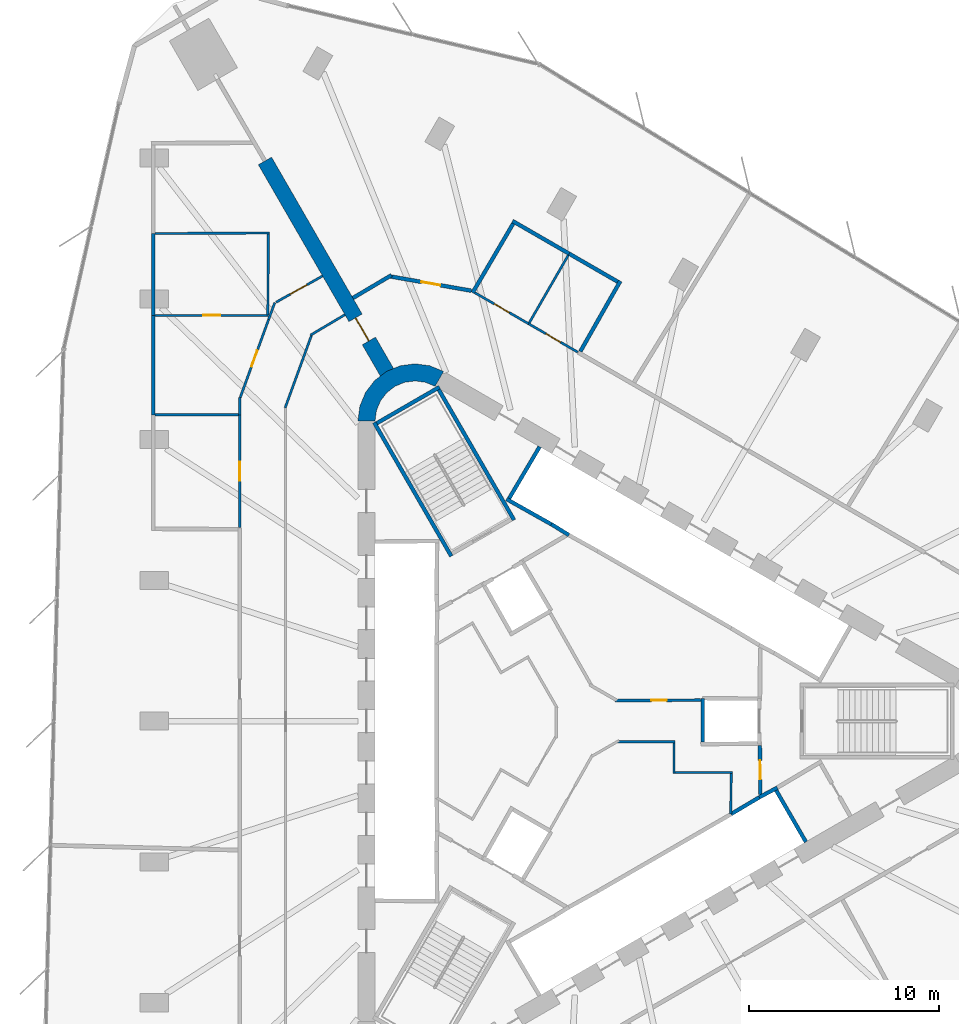
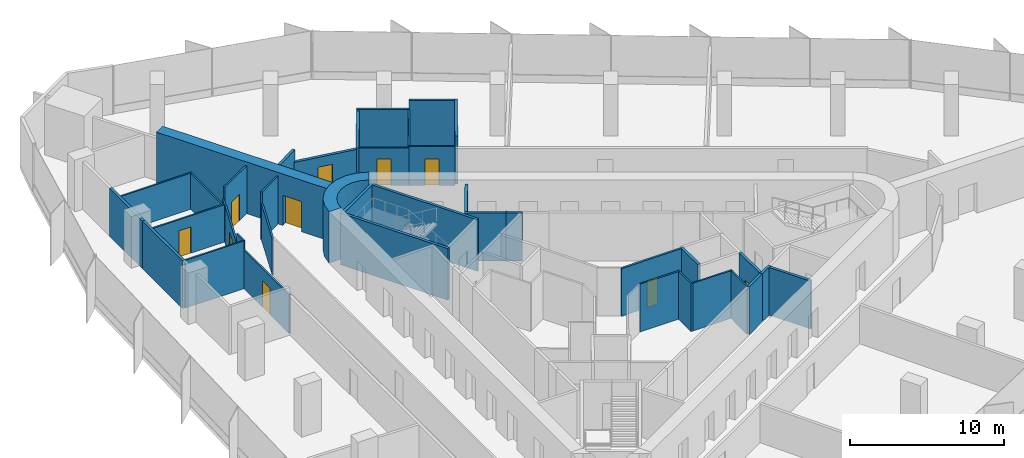
# One storey, part 11 of 14: 40 walls, 10 doors, 10 openings.
"""IFC4 building model written with IfcOpenShell, lengths in metres."""

from ifc_helpers import new_model, si_unit, direction, frame, frame_2d, origin, place, context, subcontext, project, spatial, polyline, rectangle, outline, extrude, material, layer, layer_set, type_object, element, fill, save


model = new_model("IFC4")

# Units and contexts
model_context = context("Model", 3, precision=1e-05, world=origin(), true_north=direction((0.0, 1.0)))
body_context = subcontext(model_context, "Body", "Model", "MODEL_VIEW")
ifc_project = project(units=[si_unit("LENGTHUNIT", "METRE"), si_unit("AREAUNIT", "SQUARE_METRE"), si_unit("VOLUMEUNIT", "CUBIC_METRE"), si_unit("PLANEANGLEUNIT", "RADIAN"), si_unit("MASSUNIT", "GRAM", prefix="KILO")], contexts=[model_context])

# Site, building, storey
site_placement = place(None, origin())
site = spatial("IfcSite", under=ifc_project, at=site_placement, CompositionType="ELEMENT")
building_placement = place(site_placement, origin())
building = spatial("IfcBuilding", under=site, at=building_placement, Name="Tanit Gate Tower", CompositionType="ELEMENT")
storey_placement = place(building_placement, frame((0.0, 0.0, 119.300048828125)))
storey = spatial("IfcBuildingStorey", under=building, at=storey_placement, Name="L25", CompositionType="ELEMENT", Elevation=119.300048828125)

# Wall, opening, door
ifc_material_1 = material(Name="Concrete C60/75", Category="concrete")
ifc_layer_1 = layer(ifc_material_1, 0.800048828125)
ifc_layer_set_1 = layer_set([ifc_layer_1], Name="BUTTRESS FIN 800 C60/75")
wall_type_1 = type_object("IfcWallType", Name="BUTTRESS FIN 800 C60/75", PredefinedType="SHEAR", material=ifc_layer_set_1)
wall_1_placement = place(storey_placement, frame((-10.574951171875, 18.31640625, 0.0), z_axis=(0.0, 0.0, 1.0), x_axis=(-0.500008359956, 0.866020577108, 0.0)))
wall_1 = element("IfcWall", 1, at=wall_1_placement, inside=storey, type_object=wall_type_1, Name="BUTTRESS FIN", PredefinedType="SHEAR", context=body_context, shape_type="SweptSolid", body=[
    extrude(rectangle(XDim=12.812255859375, YDim=0.800048828125, at=frame_2d((6.40625, 0.0))), origin(), (0.0, 0.0, 1.0), 4.099853515625),
])
opening_1_placement = place(wall_1_placement, frame((1.89990234375, 0.0, 0.0)))
opening_1 = element("IfcOpeningElement", 2, at=opening_1_placement, cuts=wall_1, Name="Opening P14-S06-F-NW-1", PredefinedType="OPENING", context=body_context, shape_type="SweptSolid", body=[
    extrude(rectangle(XDim=1.39990234375, YDim=2.39990234375, at=frame_2d((0.699951171875, 1.199951171875))), frame((0.0, 0.41015625, 0.0), z_axis=(0.0, -1.0, 0.0), x_axis=(1.0, 0.0, 0.0)), (0.0, 0.0, 1.0), 0.820068359375),
])
ifc_material_2 = material(Name="Timber door leaf", Category="wood")
door_type_1 = type_object("IfcDoorType", Name="INT-DOOR-FIN-PAIR-1400", OperationType="NOTDEFINED", PredefinedType="NOTDEFINED", material=ifc_material_2)
door_1_placement = place(opening_1_placement, origin())
door_1 = element("IfcDoor", 3, at=door_1_placement, inside=storey, type_object=door_type_1, Name="Door P14-S06-F-NW-1", OperationType="DOUBLE_DOOR_SINGLE_SWING", OverallHeight=2.39990234375, OverallWidth=1.39990234375, PredefinedType="NOTDEFINED", context=body_context, shape_type="SweptSolid", body=[
    extrude(rectangle(XDim=1.39990234375, YDim=2.39990234375, at=frame_2d((0.699951171875, 1.199951171875))), frame((0.0, 0.02490234375, 0.0), z_axis=(0.0, -1.0, 0.0), x_axis=(1.0, 0.0, 0.0)), (0.0, 0.0, 1.0), 0.050048828125),
])
fill(opening_1, door_1)

# Wall
ifc_material_3 = material(Name="Concrete C60/75", Category="concrete")
ifc_layer_2 = layer(ifc_material_3, 0.89990234375)
ifc_layer_set_2 = layer_set([ifc_layer_2], Name="CORE WALL 900 C60/75")
wall_type_2 = type_object("IfcWallType", Name="CORE WALL 900 C60/75", PredefinedType="SHEAR", material=ifc_layer_set_2)
wall_2_placement = place(storey_placement, origin())
element("IfcWall", 4, at=wall_2_placement, inside=storey, type_object=wall_type_2, Name="CORE WALL CORNER", PredefinedType="SHEAR", context=body_context, shape_type="SweptSolid", body=[
    extrude(outline(polyline([(-7.60009765625, 18.359619140625), (-8.323486328125, 18.659423828125), (-9.10009765625, 18.76171875), (-9.87646484375, 18.659423828125), (-10.60009765625, 18.359619140625), (-11.22119140625, 17.883056640625), (-11.697998046875, 17.26171875), (-11.997802734375, 16.5380859375), (-12.10009765625, 15.76171875), (-11.199951171875, 15.76171875), (-11.12841796875, 16.30517578125), (-10.918701171875, 16.811767578125), (-10.5849609375, 17.24658203125), (-10.14990234375, 17.580322265625), (-9.6435546875, 17.7900390625), (-9.10009765625, 17.86181640625), (-8.556396484375, 17.7900390625), (-8.050048828125, 17.580322265625), (-7.60009765625, 18.359619140625)])), origin(), (0.0, 0.0, 1.0), 4.099853515625),
])

# Wall, opening, door
ifc_material_4 = material(Name="Fire-rated gypsum board partition")
ifc_layer_3 = layer(ifc_material_4, 0.199951171875)
ifc_layer_set_3 = layer_set([ifc_layer_3], Name="INT-WALL-COMPARTMENT")
wall_type_3 = type_object("IfcWallType", Name="INT-WALL-COMPARTMENT", PredefinedType="PARTITIONING", material=ifc_layer_set_3)
wall_3_placement = place(storey_placement, frame((9.02880859375, -3.850830078125, 0.0), z_axis=(0.0, 0.0, 1.0), x_axis=(-0.010783593937, 0.99994185536, 0.0)))
wall_3 = element("IfcWall", 5, at=wall_3_placement, inside=storey, type_object=wall_type_3, Name="Wall Compartment W060", PredefinedType="PARTITIONING", context=body_context, shape_type="SweptSolid", body=[
    extrude(rectangle(XDim=2.5810546875, YDim=0.199951171875, at=frame_2d((1.29052734375, 0.0))), origin(), (0.0, 0.0, 1.0), 3.800048828125),
])
opening_2_placement = place(wall_3_placement, frame((0.79052734375, 0.0, 0.0)))
opening_2 = element("IfcOpeningElement", 6, at=opening_2_placement, cuts=wall_3, Name="Opening F10-S06-02", PredefinedType="OPENING", context=body_context, shape_type="SweptSolid", body=[
    extrude(rectangle(XDim=1.0, YDim=2.10009765625, at=frame_2d((0.5, 1.050048828125))), frame((0.0, 0.10986328125, 0.0), z_axis=(0.0, -1.0, 0.0), x_axis=(1.0, 0.0, 0.0)), (0.0, 0.0, 1.0), 0.219970703125),
])
ifc_material_5 = material(Name="Fire-rated steel door leaf", Category="steel")
door_type_2 = type_object("IfcDoorType", Name="INT-DOOR-FIRE-1000", OperationType="NOTDEFINED", PredefinedType="USERDEFINED", material=ifc_material_5)
door_2_placement = place(opening_2_placement, origin())
door_2 = element("IfcDoor", 7, at=door_2_placement, inside=storey, type_object=door_type_2, Name="Door F10-S06-02", ObjectType="FIRE DOOR", OperationType="SINGLE_SWING_RIGHT", OverallHeight=2.10009765625, OverallWidth=1.0, PredefinedType="USERDEFINED", context=body_context, shape_type="SweptSolid", body=[
    extrude(rectangle(XDim=1.0, YDim=2.10009765625, at=frame_2d((0.5, 1.050048828125))), frame((0.0, 0.02490234375, 0.0), z_axis=(0.0, -1.0, 0.0), x_axis=(1.0, 0.0, 0.0)), (0.0, 0.0, 1.0), 0.050048828125),
])
fill(opening_2, door_2)

# Wall
wall_4_placement = place(storey_placement, frame((-10.3388671875, 23.4150390625, 0.0), z_axis=(0.0, 0.0, 1.0), x_axis=(-0.860316803263, -0.509759745393, 0.0)))
element("IfcWall", 8, at=wall_4_placement, inside=storey, type_object=wall_type_3, Name="Wall Compartment W097", PredefinedType="PARTITIONING", context=body_context, shape_type="SweptSolid", body=[
    extrude(rectangle(XDim=2.35400390625, YDim=0.199951171875, at=frame_2d((1.177001953125, 0.0))), origin(), (0.0, 0.0, 1.0), 3.800048828125),
])

# Wall, opening, door
wall_5_placement = place(storey_placement, frame((-6.140625, 22.597900390625, 0.0), z_axis=(0.0, 0.0, 1.0), x_axis=(-0.984804622474, 0.173665930897, 0.0)))
wall_5 = element("IfcWall", 9, at=wall_5_placement, inside=storey, type_object=wall_type_3, Name="Wall Compartment W098", PredefinedType="PARTITIONING", context=body_context, shape_type="SweptSolid", body=[
    extrude(rectangle(XDim=4.31591796875, YDim=0.199951171875, at=frame_2d((2.157958984375, 0.0))), origin(), (0.0, 0.0, 1.0), 2.8798828125),
])
opening_3_placement = place(wall_5_placement, frame((1.657958984375, 0.0, 0.0)))
opening_3 = element("IfcOpeningElement", 10, at=opening_3_placement, cuts=wall_5, Name="Opening F10-S06-23", PredefinedType="OPENING", context=body_context, shape_type="SweptSolid", body=[
    extrude(rectangle(XDim=1.0, YDim=2.10009765625, at=frame_2d((0.5, 1.050048828125))), frame((0.0, 0.10986328125, 0.0), z_axis=(0.0, -1.0, 0.0), x_axis=(1.0, 0.0, 0.0)), (0.0, 0.0, 1.0), 0.219970703125),
])
door_3_placement = place(opening_3_placement, origin())
door_3 = element("IfcDoor", 11, at=door_3_placement, inside=storey, type_object=door_type_2, Name="Door F10-S06-23", ObjectType="FIRE DOOR", OperationType="SINGLE_SWING_RIGHT", OverallHeight=2.10009765625, OverallWidth=1.0, PredefinedType="USERDEFINED", context=body_context, shape_type="SweptSolid", body=[
    extrude(rectangle(XDim=1.0, YDim=2.10009765625, at=frame_2d((0.5, 1.050048828125))), frame((0.0, 0.02490234375, 0.0), z_axis=(0.0, -1.0, 0.0), x_axis=(1.0, 0.0, 0.0)), (0.0, 0.0, 1.0), 0.050048828125),
])
fill(opening_3, door_3)

# Walls
wall_6_placement = place(storey_placement, frame((-22.85009765625, 21.302490234375, 0.0), z_axis=(0.0, 0.0, 1.0), x_axis=(0.0, 1.0, 0.0)))
element("IfcWall", 12, at=wall_6_placement, inside=storey, type_object=wall_type_3, Name="Wall Compartment W121", PredefinedType="PARTITIONING", context=body_context, shape_type="SweptSolid", body=[
    extrude(rectangle(XDim=4.29736328125, YDim=0.199951171875, at=frame_2d((2.148681640625, 0.0))), origin(), (0.0, 0.0, 1.0), 3.800048828125),
])
wall_7_placement = place(storey_placement, frame((-22.85009765625, 16.083740234375, 0.0), z_axis=(0.0, 0.0, 1.0), x_axis=(0.0, 1.0, 0.0)))
element("IfcWall", 13, at=wall_7_placement, inside=storey, type_object=wall_type_3, Name="Wall Compartment W120", PredefinedType="PARTITIONING", context=body_context, shape_type="SweptSolid", body=[
    extrude(rectangle(XDim=5.21875, YDim=0.199951171875, at=frame_2d((2.609375, 0.0))), origin(), (0.0, 0.0, 1.0), 3.800048828125),
])
wall_8_placement = place(storey_placement, frame((-0.42138671875, 19.411376953125, 0.0), z_axis=(0.0, 0.0, 1.0), x_axis=(0.493854448618, 0.86954458401, 0.0)))
element("IfcWall", 14, at=wall_8_placement, inside=storey, type_object=wall_type_3, Name="Wall Compartment W126", PredefinedType="PARTITIONING", context=body_context, shape_type="SweptSolid", body=[
    extrude(rectangle(XDim=4.25, YDim=0.199951171875, at=frame_2d((2.125, 0.0))), origin(), (0.0, 0.0, 1.0), 3.800048828125),
])
wall_9_placement = place(storey_placement, frame((-3.983642578125, 26.260009765625, 0.0), z_axis=(0.0, 0.0, 1.0), x_axis=(0.866016279763, -0.500015802937, 0.0)))
element("IfcWall", 15, at=wall_9_placement, inside=storey, type_object=wall_type_3, Name="Wall Compartment W128", PredefinedType="PARTITIONING", context=body_context, shape_type="SweptSolid", body=[
    extrude(rectangle(XDim=3.43408203125, YDim=0.199951171875, at=frame_2d((1.717041015625, 0.0))), origin(), (0.0, 0.0, 1.0), 3.079833984375),
])
wall_10_placement = place(storey_placement, frame((-1.009765625, 24.54296875, 0.0), z_axis=(0.0, 0.0, 1.0), x_axis=(0.866036539348, -0.499980712142, 0.0)))
element("IfcWall", 16, at=wall_10_placement, inside=storey, type_object=wall_type_3, Name="Wall Compartment W127", PredefinedType="PARTITIONING", context=body_context, shape_type="SweptSolid", body=[
    extrude(rectangle(XDim=2.94580078125, YDim=0.199951171875, at=frame_2d((1.472900390625, 0.0))), origin(), (0.0, 0.0, 1.0), 3.800048828125),
])
wall_11_placement = place(storey_placement, frame((-6.078369140625, 22.49267578125, 0.0), z_axis=(0.0, 0.0, 1.0), x_axis=(0.506079610092, 0.862486769898, 0.0)))
element("IfcWall", 17, at=wall_11_placement, inside=storey, type_object=wall_type_3, Name="Wall Compartment W129", PredefinedType="PARTITIONING", context=body_context, shape_type="SweptSolid", body=[
    extrude(rectangle(XDim=4.2099609375, YDim=0.199951171875, at=frame_2d((2.10498046875, 0.0))), origin(), (0.0, 0.0, 1.0), 2.97998046875),
])
ifc_material_6 = material(Name="Gypsum board partition")
ifc_layer_4 = layer(ifc_material_6, 0.1201171875)
ifc_layer_set_4 = layer_set([ifc_layer_4], Name="INT-WALL-PARTITION")
wall_type_4 = type_object("IfcWallType", Name="INT-WALL-PARTITION", PredefinedType="PARTITIONING", material=ifc_layer_set_4)
wall_12_placement = place(storey_placement, frame((4.56005859375, -1.074951171875, 0.0), z_axis=(0.0, 0.0, 1.0), x_axis=(-1.0, 0.0, 0.0)))
element("IfcWall", 18, at=wall_12_placement, inside=storey, type_object=wall_type_4, Name="Wall Partition W070", PredefinedType="PARTITIONING", context=body_context, shape_type="SweptSolid", body=[
    extrude(rectangle(XDim=3.02587890625, YDim=0.1201171875, at=frame_2d((1.512939453125, 0.0))), origin(), (0.0, 0.0, 1.0), 3.800048828125),
])
wall_13_placement = place(storey_placement, frame((4.5, -2.760009765625, 0.0), z_axis=(0.0, 0.0, 1.0), x_axis=(0.0, 1.0, 0.0)))
element("IfcWall", 19, at=wall_13_placement, inside=storey, type_object=wall_type_4, Name="Wall Partition W071", PredefinedType="PARTITIONING", context=body_context, shape_type="SweptSolid", body=[
    extrude(rectangle(XDim=1.625, YDim=0.1201171875, at=frame_2d((0.8125, 0.0))), origin(), (0.0, 0.0, 1.0), 3.800048828125),
])
wall_14_placement = place(storey_placement, frame((7.56005859375, -2.699951171875, 0.0), z_axis=(0.0, 0.0, 1.0), x_axis=(-1.0, 0.0, 0.0)))
element("IfcWall", 20, at=wall_14_placement, inside=storey, type_object=wall_type_4, Name="Wall Partition W072", PredefinedType="PARTITIONING", context=body_context, shape_type="SweptSolid", body=[
    extrude(rectangle(XDim=3.0, YDim=0.1201171875, at=frame_2d((1.5, 0.0))), origin(), (0.0, 0.0, 1.0), 3.800048828125),
])
wall_15_placement = place(storey_placement, frame((7.474609375, -4.864501953125, 0.0), z_axis=(0.0, 0.0, 1.0), x_axis=(0.011716133148, 0.999931363757, 0.0)))
element("IfcWall", 21, at=wall_15_placement, inside=storey, type_object=wall_type_4, Name="Wall Partition W073", PredefinedType="PARTITIONING", context=body_context, shape_type="SweptSolid", body=[
    extrude(rectangle(XDim=2.104736328125, YDim=0.1201171875, at=frame_2d((1.05224609375, 0.0))), origin(), (0.0, 0.0, 1.0), 3.800048828125),
])
wall_16_placement = place(storey_placement, frame((-12.781982421875, 21.339111328125, 0.0), z_axis=(0.0, 0.0, 1.0), x_axis=(-0.859769901207, -0.510681619973, 0.0)))
element("IfcWall", 22, at=wall_16_placement, inside=storey, type_object=wall_type_4, Name="Wall Partition W083", PredefinedType="PARTITIONING", context=body_context, shape_type="SweptSolid", body=[
    extrude(rectangle(XDim=2.092529296875, YDim=0.1201171875, at=frame_2d((1.04638671875, 0.0))), origin(), (0.0, 0.0, 1.0), 3.800048828125),
])
wall_17_placement = place(storey_placement, frame((-14.527587890625, 20.281982421875, 0.0), z_axis=(0.0, 0.0, 1.0), x_axis=(-0.341969257767, -0.939711140054, 0.0)))
element("IfcWall", 23, at=wall_17_placement, inside=storey, type_object=wall_type_4, Name="Wall Partition W084", PredefinedType="PARTITIONING", context=body_context, shape_type="SweptSolid", body=[
    extrude(rectangle(XDim=4.072998046875, YDim=0.1201171875, at=frame_2d((2.03662109375, 0.0))), origin(), (0.0, 0.0, 1.0), 2.8798828125),
])
wall_18_placement = place(storey_placement, frame((-18.300048828125, 16.994140625, 0.0), z_axis=(0.0, 0.0, 1.0), x_axis=(0.0, -1.0, 0.0)))
element("IfcWall", 24, at=wall_18_placement, inside=storey, type_object=wall_type_4, Name="Wall Partition W093", PredefinedType="PARTITIONING", context=body_context, shape_type="SweptSolid", body=[
    extrude(rectangle(XDim=0.910400390625, YDim=0.1201171875, at=frame_2d((0.455078125, 0.0))), origin(), (0.0, 0.0, 1.0), 3.800048828125),
])

# Wall, opening, door
wall_19_placement = place(storey_placement, frame((-18.300048828125, 16.083740234375, 0.0), z_axis=(0.0, 0.0, 1.0), x_axis=(0.0, -1.0, 0.0)))
wall_19 = element("IfcWall", 25, at=wall_19_placement, inside=storey, type_object=wall_type_4, Name="Wall Partition W092", PredefinedType="PARTITIONING", context=body_context, shape_type="SweptSolid", body=[
    extrude(rectangle(XDim=5.913818359375, YDim=0.1201171875, at=frame_2d((2.95703125, 0.0))), origin(), (0.0, 0.0, 1.0), 3.079833984375),
])
opening_4_placement = place(wall_19_placement, frame((2.456787109375, 0.0, 0.0)))
opening_4 = element("IfcOpeningElement", 26, at=opening_4_placement, cuts=wall_19, Name="Opening D10-S06-15", PredefinedType="OPENING", context=body_context, shape_type="SweptSolid", body=[
    extrude(rectangle(XDim=1.0, YDim=2.10009765625, at=frame_2d((0.5, 1.050048828125))), frame((0.0, 0.070068359375, 0.0), z_axis=(0.0, -1.0, 0.0), x_axis=(1.0, 0.0, 0.0)), (0.0, 0.0, 1.0), 0.14013671875),
])
ifc_material_7 = material(Name="Timber door leaf", Category="wood")
door_type_3 = type_object("IfcDoorType", Name="INT-DOOR-SINGLE-1000", OperationType="NOTDEFINED", PredefinedType="NOTDEFINED", material=ifc_material_7)
door_4_placement = place(opening_4_placement, origin())
door_4 = element("IfcDoor", 27, at=door_4_placement, inside=storey, type_object=door_type_3, Name="Door D10-S06-15", OperationType="SINGLE_SWING_LEFT", OverallHeight=2.10009765625, OverallWidth=1.0, PredefinedType="NOTDEFINED", context=body_context, shape_type="SweptSolid", body=[
    extrude(rectangle(XDim=1.0, YDim=2.10009765625, at=frame_2d((0.5, 1.050048828125))), frame((0.0, 0.02490234375, 0.0), z_axis=(0.0, -1.0, 0.0), x_axis=(1.0, 0.0, 0.0)), (0.0, 0.0, 1.0), 0.050048828125),
])
fill(opening_4, door_4)

# Wall
wall_20_placement = place(storey_placement, frame((-16.467041015625, 21.970458984375, 0.0), z_axis=(0.0, 0.0, 1.0), x_axis=(-0.341973086836, -0.939709746613, 0.0)))
element("IfcWall", 28, at=wall_20_placement, inside=storey, type_object=wall_type_4, Name="Wall Partition W095", PredefinedType="PARTITIONING", context=body_context, shape_type="SweptSolid", body=[
    extrude(rectangle(XDim=0.937255859375, YDim=0.1201171875, at=frame_2d((0.46875, 0.0))), origin(), (0.0, 0.0, 1.0), 2.8798828125),
])

# Wall, opening, door
wall_21_placement = place(storey_placement, frame((-16.78759765625, 21.089599609375, 0.0), z_axis=(0.0, 0.0, 1.0), x_axis=(-0.342035154905, -0.939687156882, 0.0)))
wall_21 = element("IfcWall", 29, at=wall_21_placement, inside=storey, type_object=wall_type_4, Name="Wall Partition W094", PredefinedType="PARTITIONING", context=body_context, shape_type="SweptSolid", body=[
    extrude(rectangle(XDim=4.362060546875, YDim=0.1201171875, at=frame_2d((2.18115234375, 0.0))), origin(), (0.0, 0.0, 1.0), 2.97998046875),
])
opening_5_placement = place(wall_21_placement, frame((1.73095703125, 0.0, 0.0)))
opening_5 = element("IfcOpeningElement", 30, at=opening_5_placement, cuts=wall_21, Name="Opening D09-S06-16", PredefinedType="OPENING", context=body_context, shape_type="SweptSolid", body=[
    extrude(rectangle(XDim=0.89990234375, YDim=2.10009765625, at=frame_2d((0.449951171875, 1.050048828125))), frame((0.0, 0.070068359375, 0.0), z_axis=(0.0, -1.0, 0.0), x_axis=(1.0, 0.0, 0.0)), (0.0, 0.0, 1.0), 0.14013671875),
])
ifc_material_8 = material(Name="Timber door leaf", Category="wood")
door_type_4 = type_object("IfcDoorType", Name="INT-DOOR-SINGLE-900", OperationType="NOTDEFINED", PredefinedType="NOTDEFINED", material=ifc_material_8)
door_5_placement = place(opening_5_placement, origin())
door_5 = element("IfcDoor", 31, at=door_5_placement, inside=storey, type_object=door_type_4, Name="Door D09-S06-16", OperationType="SINGLE_SWING_LEFT", OverallHeight=2.10009765625, OverallWidth=0.89990234375, PredefinedType="NOTDEFINED", context=body_context, shape_type="SweptSolid", body=[
    extrude(rectangle(XDim=0.89990234375, YDim=2.10009765625, at=frame_2d((0.449951171875, 1.050048828125))), frame((0.0, 0.02490234375, 0.0), z_axis=(0.0, -1.0, 0.0), x_axis=(1.0, 0.0, 0.0)), (0.0, 0.0, 1.0), 0.050048828125),
])
fill(opening_5, door_5)

wall_22_placement = place(storey_placement, frame((-13.956298828125, 23.373046875, 0.0), z_axis=(0.0, 0.0, 1.0), x_axis=(-0.870551471841, -0.492077366757, 0.0)))
wall_22 = element("IfcWall", 32, at=wall_22_placement, inside=storey, type_object=wall_type_4, Name="Wall Partition W096", PredefinedType="PARTITIONING", context=body_context, shape_type="SweptSolid", body=[
    extrude(rectangle(XDim=2.80029296875, YDim=0.1201171875, at=frame_2d((1.400146484375, 0.0))), origin(), (0.0, 0.0, 1.0), 3.800048828125),
])
opening_6_placement = place(wall_22_placement, frame((0.9501953125, 0.0, 0.0)))
opening_6 = element("IfcOpeningElement", 33, at=opening_6_placement, cuts=wall_22, Name="Opening D10-S06-18", PredefinedType="OPENING", context=body_context, shape_type="SweptSolid", body=[
    extrude(rectangle(XDim=1.0, YDim=2.10009765625, at=frame_2d((0.5, 1.050048828125))), frame((0.0, 0.070068359375, 0.0), z_axis=(0.0, -1.0, 0.0), x_axis=(1.0, 0.0, 0.0)), (0.0, 0.0, 1.0), 0.14013671875),
])
door_6_placement = place(opening_6_placement, origin())
door_6 = element("IfcDoor", 34, at=door_6_placement, inside=storey, type_object=door_type_3, Name="Door D10-S06-18", OperationType="SINGLE_SWING_RIGHT", OverallHeight=2.10009765625, OverallWidth=1.0, PredefinedType="NOTDEFINED", context=body_context, shape_type="SweptSolid", body=[
    extrude(rectangle(XDim=1.0, YDim=2.10009765625, at=frame_2d((0.5, 1.050048828125))), frame((0.0, 0.02490234375, 0.0), z_axis=(0.0, -1.0, 0.0), x_axis=(1.0, 0.0, 0.0)), (0.0, 0.0, 1.0), 0.050048828125),
])
fill(opening_6, door_6)

wall_23_placement = place(storey_placement, frame((-0.557373046875, 19.37451171875, 0.0), z_axis=(0.0, 0.0, 1.0), x_axis=(-0.866028486751, 0.499994660107, 0.0)))
wall_23 = element("IfcWall", 35, at=wall_23_placement, inside=storey, type_object=wall_type_4, Name="Wall Partition W104", PredefinedType="PARTITIONING", context=body_context, shape_type="SweptSolid", body=[
    extrude(rectangle(XDim=2.97607421875, YDim=0.1201171875, at=frame_2d((1.488037109375, 0.0))), origin(), (0.0, 0.0, 1.0), 3.079833984375),
])
opening_7_placement = place(wall_23_placement, frame((1.0380859375, 0.0, 0.0)))
opening_7 = element("IfcOpeningElement", 36, at=opening_7_placement, cuts=wall_23, Name="Opening D09-S06-19", PredefinedType="OPENING", context=body_context, shape_type="SweptSolid", body=[
    extrude(rectangle(XDim=0.89990234375, YDim=2.10009765625, at=frame_2d((0.449951171875, 1.050048828125))), frame((0.0, 0.070068359375, 0.0), z_axis=(0.0, -1.0, 0.0), x_axis=(1.0, 0.0, 0.0)), (0.0, 0.0, 1.0), 0.14013671875),
])
door_7_placement = place(opening_7_placement, origin())
door_7 = element("IfcDoor", 37, at=door_7_placement, inside=storey, type_object=door_type_4, Name="Door D09-S06-19", OperationType="SINGLE_SWING_RIGHT", OverallHeight=2.10009765625, OverallWidth=0.89990234375, PredefinedType="NOTDEFINED", context=body_context, shape_type="SweptSolid", body=[
    extrude(rectangle(XDim=0.89990234375, YDim=2.10009765625, at=frame_2d((0.449951171875, 1.050048828125))), frame((0.0, 0.02490234375, 0.0), z_axis=(0.0, -1.0, 0.0), x_axis=(1.0, 0.0, 0.0)), (0.0, 0.0, 1.0), 0.050048828125),
])
fill(opening_7, door_7)

wall_24_placement = place(storey_placement, frame((-3.134765625, 20.862548828125, 0.0), z_axis=(0.0, 0.0, 1.0), x_axis=(-0.866043587326, 0.49996850386, 0.0)))
wall_24 = element("IfcWall", 38, at=wall_24_placement, inside=storey, type_object=wall_type_4, Name="Wall Partition W105", PredefinedType="PARTITIONING", context=body_context, shape_type="SweptSolid", body=[
    extrude(rectangle(XDim=3.263916015625, YDim=0.1201171875, at=frame_2d((1.6318359375, 0.0))), origin(), (0.0, 0.0, 1.0), 2.97998046875),
])
opening_8_placement = place(wall_24_placement, frame((1.181884765625, 0.0, 0.0)))
opening_8 = element("IfcOpeningElement", 39, at=opening_8_placement, cuts=wall_24, Name="Opening D09-S06-20", PredefinedType="OPENING", context=body_context, shape_type="SweptSolid", body=[
    extrude(rectangle(XDim=0.89990234375, YDim=2.10009765625, at=frame_2d((0.449951171875, 1.050048828125))), frame((0.0, 0.070068359375, 0.0), z_axis=(0.0, -1.0, 0.0), x_axis=(1.0, 0.0, 0.0)), (0.0, 0.0, 1.0), 0.14013671875),
])
door_8_placement = place(opening_8_placement, origin())
door_8 = element("IfcDoor", 40, at=door_8_placement, inside=storey, type_object=door_type_4, Name="Door D09-S06-20", OperationType="SINGLE_SWING_RIGHT", OverallHeight=2.10009765625, OverallWidth=0.89990234375, PredefinedType="NOTDEFINED", context=body_context, shape_type="SweptSolid", body=[
    extrude(rectangle(XDim=0.89990234375, YDim=2.10009765625, at=frame_2d((0.449951171875, 1.050048828125))), frame((0.0, 0.02490234375, 0.0), z_axis=(0.0, -1.0, 0.0), x_axis=(1.0, 0.0, 0.0)), (0.0, 0.0, 1.0), 0.050048828125),
])
fill(opening_8, door_8)

# Wall
wall_25_placement = place(storey_placement, frame((-18.360107421875, 16.083740234375, 0.0), z_axis=(0.0, 0.0, 1.0), x_axis=(-1.0, 0.0, 0.0)))
element("IfcWall", 41, at=wall_25_placement, inside=storey, type_object=wall_type_4, Name="Wall Partition W135", PredefinedType="PARTITIONING", context=body_context, shape_type="SweptSolid", body=[
    extrude(rectangle(XDim=4.389892578125, YDim=0.1201171875, at=frame_2d((2.19482421875, 0.0))), origin(), (0.0, 0.0, 1.0), 3.800048828125),
])

# Wall, opening, door
wall_26_placement = place(storey_placement, frame((-16.800048828125, 21.302490234375, 0.0), z_axis=(0.0, 0.0, 1.0), x_axis=(-1.0, 0.0, 0.0)))
wall_26 = element("IfcWall", 42, at=wall_26_placement, inside=storey, type_object=wall_type_4, Name="Wall Partition W136", PredefinedType="PARTITIONING", context=body_context, shape_type="SweptSolid", body=[
    extrude(rectangle(XDim=5.949951171875, YDim=0.1201171875, at=frame_2d((2.97509765625, 0.0))), origin(), (0.0, 0.0, 1.0), 2.97998046875),
])
opening_9_placement = place(wall_26_placement, frame((2.52490234375, 0.0, 0.0)))
opening_9 = element("IfcOpeningElement", 43, at=opening_9_placement, cuts=wall_26, Name="Opening D09-S06-17", PredefinedType="OPENING", context=body_context, shape_type="SweptSolid", body=[
    extrude(rectangle(XDim=0.89990234375, YDim=2.10009765625, at=frame_2d((0.449951171875, 1.050048828125))), frame((0.0, 0.070068359375, 0.0), z_axis=(0.0, -1.0, 0.0), x_axis=(1.0, 0.0, 0.0)), (0.0, 0.0, 1.0), 0.14013671875),
])
door_9_placement = place(opening_9_placement, origin())
door_9 = element("IfcDoor", 44, at=door_9_placement, inside=storey, type_object=door_type_4, Name="Door D09-S06-17", OperationType="SINGLE_SWING_LEFT", OverallHeight=2.10009765625, OverallWidth=0.89990234375, PredefinedType="NOTDEFINED", context=body_context, shape_type="SweptSolid", body=[
    extrude(rectangle(XDim=0.89990234375, YDim=2.10009765625, at=frame_2d((0.449951171875, 1.050048828125))), frame((0.0, 0.02490234375, 0.0), z_axis=(0.0, -1.0, 0.0), x_axis=(1.0, 0.0, 0.0)), (0.0, 0.0, 1.0), 0.050048828125),
])
fill(opening_9, door_9)

# Walls
wall_27_placement = place(storey_placement, frame((-22.75, 25.600341796875, 0.0), z_axis=(0.0, 0.0, 1.0), x_axis=(0.999987719631, 0.004955863907, 0.0)))
element("IfcWall", 45, at=wall_27_placement, inside=storey, type_object=wall_type_4, Name="Wall Partition W137", PredefinedType="PARTITIONING", context=body_context, shape_type="SweptSolid", body=[
    extrude(rectangle(XDim=6.010009765625, YDim=0.1201171875, at=frame_2d((3.0048828125, 0.0))), origin(), (0.0, 0.0, 1.0), 2.8798828125),
])
wall_28_placement = place(storey_placement, frame((-16.830078125, 21.332275390625, 0.0), z_axis=(0.0, 0.0, 1.0), x_axis=(0.006971081403, 0.999975701717, 0.0)))
element("IfcWall", 46, at=wall_28_placement, inside=storey, type_object=wall_type_4, Name="Wall Partition W138", PredefinedType="PARTITIONING", context=body_context, shape_type="SweptSolid", body=[
    extrude(rectangle(XDim=4.237548828125, YDim=0.1201171875, at=frame_2d((2.11865234375, 0.0))), origin(), (0.0, 0.0, 1.0), 2.8798828125),
])
wall_29_placement = place(storey_placement, frame((-3.104736328125, 20.914306640625, 0.0), z_axis=(0.0, 0.0, 1.0), x_axis=(0.499965302165, 0.866045435662, 0.0)))
element("IfcWall", 47, at=wall_29_placement, inside=storey, type_object=wall_type_4, Name="Wall Partition W139", PredefinedType="PARTITIONING", context=body_context, shape_type="SweptSolid", body=[
    extrude(rectangle(XDim=4.090087890625, YDim=0.1201171875, at=frame_2d((2.044921875, 0.0))), origin(), (0.0, 0.0, 1.0), 3.079833984375),
])

# Wall, opening, door
ifc_material_9 = material(Name="Fire-rated gypsum board partition")
ifc_layer_5 = layer(ifc_material_9, 0.14990234375)
ifc_layer_set_5 = layer_set([ifc_layer_5], Name="INT-WALL-RISER")
wall_type_5 = type_object("IfcWallType", Name="INT-WALL-RISER", PredefinedType="PLUMBINGWALL", material=ifc_layer_set_5)
wall_30_placement = place(storey_placement, frame((1.3876953125, 1.07421875, 0.0), z_axis=(0.0, 0.0, 1.0), x_axis=(0.99997856967, 0.006546770205, 0.0)))
wall_30 = element("IfcWall", 48, at=wall_30_placement, inside=storey, type_object=wall_type_5, Name="Wall Riser W065", PredefinedType="PLUMBINGWALL", context=body_context, shape_type="SweptSolid", body=[
    extrude(rectangle(XDim=4.51220703125, YDim=0.14990234375, at=frame_2d((2.256103515625, 0.0))), origin(), (0.0, 0.0, 1.0), 3.800048828125),
])
opening_10_placement = place(wall_30_placement, frame((1.920166015625, 0.0, 0.0)))
opening_10 = element("IfcOpeningElement", 49, at=opening_10_placement, cuts=wall_30, Name="Opening R08-S06-10", PredefinedType="OPENING", context=body_context, shape_type="SweptSolid", body=[
    extrude(rectangle(XDim=0.800048828125, YDim=2.10009765625, at=frame_2d((0.39990234375, 1.050048828125))), frame((0.0, 0.0849609375, 0.0), z_axis=(0.0, -1.0, 0.0), x_axis=(1.0, 0.0, 0.0)), (0.0, 0.0, 1.0), 0.169921875),
])
ifc_material_10 = material(Name="Timber door leaf", Category="wood")
door_type_5 = type_object("IfcDoorType", Name="INT-DOOR-RISER-800", OperationType="NOTDEFINED", PredefinedType="USERDEFINED", material=ifc_material_10)
door_10_placement = place(opening_10_placement, origin())
door_10 = element("IfcDoor", 50, at=door_10_placement, inside=storey, type_object=door_type_5, Name="Door R08-S06-10", ObjectType="FIRE DOOR", OperationType="SINGLE_SWING_LEFT", OverallHeight=2.10009765625, OverallWidth=0.800048828125, PredefinedType="USERDEFINED", context=body_context, shape_type="SweptSolid", body=[
    extrude(rectangle(XDim=0.800048828125, YDim=2.10009765625, at=frame_2d((0.39990234375, 1.050048828125))), frame((0.0, 0.02490234375, 0.0), z_axis=(0.0, -1.0, 0.0), x_axis=(1.0, 0.0, 0.0)), (0.0, 0.0, 1.0), 0.050048828125),
])
fill(opening_10, door_10)

# Walls
ifc_material_11 = material(Name="Gypsum shaft wall system")
ifc_layer_6 = layer(ifc_material_11, 0.199951171875)
ifc_layer_set_6 = layer_set([ifc_layer_6], Name="INT-WALL-SHAFT")
wall_type_6 = type_object("IfcWallType", Name="INT-WALL-SHAFT", PredefinedType="PLUMBINGWALL", material=ifc_layer_set_6)
wall_31_placement = place(storey_placement, frame((-1.940673828125, 10.338623046875, 0.0), z_axis=(0.0, 0.0, 1.0), x_axis=(0.850216889117, -0.526432561171, 0.0)))
element("IfcWall", 51, at=wall_31_placement, inside=storey, type_object=wall_type_6, Name="Wall Shaft W019", PredefinedType="PLUMBINGWALL", context=body_context, shape_type="SweptSolid", body=[
    extrude(rectangle(XDim=1.078369140625, YDim=0.199951171875, at=frame_2d((0.5390625, 0.0))), origin(), (0.0, 0.0, 1.0), 3.800048828125),
])
wall_32_placement = place(storey_placement, frame((-4.296142578125, 11.658935546875, 0.0), z_axis=(0.0, 0.0, 1.0), x_axis=(0.871534483978, -0.490334215854, 0.0)))
element("IfcWall", 52, at=wall_32_placement, inside=storey, type_object=wall_type_6, Name="Wall Shaft W021", PredefinedType="PLUMBINGWALL", context=body_context, shape_type="SweptSolid", body=[
    extrude(rectangle(XDim=2.7001953125, YDim=0.199951171875, at=frame_2d((1.35009765625, 0.0))), origin(), (0.0, 0.0, 1.0), 3.800048828125),
])
wall_33_placement = place(storey_placement, frame((-4.158203125, 11.696044921875, 0.0), z_axis=(0.0, 0.0, 1.0), x_axis=(0.508018930956, 0.861345903683, 0.0)))
element("IfcWall", 53, at=wall_33_placement, inside=storey, type_object=wall_type_6, Name="Wall Shaft W022", PredefinedType="PLUMBINGWALL", context=body_context, shape_type="SweptSolid", body=[
    extrude(rectangle(XDim=3.150146484375, YDim=0.199951171875, at=frame_2d((1.5751953125, 0.0))), origin(), (0.0, 0.0, 1.0), 3.800048828125),
])
wall_34_placement = place(storey_placement, frame((9.794677734375, -3.52490234375, 0.0), z_axis=(0.0, 0.0, 1.0), x_axis=(0.499984717929, -0.866034226713, 0.0)))
element("IfcWall", 54, at=wall_34_placement, inside=storey, type_object=wall_type_6, Name="Wall Shaft W024", PredefinedType="PLUMBINGWALL", context=body_context, shape_type="SweptSolid", body=[
    extrude(rectangle(XDim=3.25, YDim=0.199951171875, at=frame_2d((1.625, 0.0))), origin(), (0.0, 0.0, 1.0), 3.800048828125),
])
wall_35_placement = place(storey_placement, frame((8.97412109375, -3.998779296875, 0.0), z_axis=(0.0, 0.0, 1.0), x_axis=(0.880907015104, 0.473289373154, 0.0)))
element("IfcWall", 55, at=wall_35_placement, inside=storey, type_object=wall_type_6, Name="Wall Shaft W025", PredefinedType="PLUMBINGWALL", context=body_context, shape_type="SweptSolid", body=[
    extrude(rectangle(XDim=1.078125, YDim=0.199951171875, at=frame_2d((0.5390625, 0.0))), origin(), (0.0, 0.0, 1.0), 3.800048828125),
])
wall_36_placement = place(storey_placement, frame((7.4931640625, -4.87841796875, 0.0), z_axis=(0.0, 0.0, 1.0), x_axis=(0.859981807212, 0.510324691999, 0.0)))
element("IfcWall", 56, at=wall_36_placement, inside=storey, type_object=wall_type_6, Name="Wall Shaft W026", PredefinedType="PLUMBINGWALL", context=body_context, shape_type="SweptSolid", body=[
    extrude(rectangle(XDim=1.8447265625, YDim=0.199951171875, at=frame_2d((0.92236328125, 0.0))), origin(), (0.0, 0.0, 1.0), 3.800048828125),
])
wall_37_placement = place(storey_placement, frame((6.0, -1.10009765625, 0.0), z_axis=(0.0, 0.0, 1.0), x_axis=(0.0, 1.0, 0.0)))
element("IfcWall", 57, at=wall_37_placement, inside=storey, type_object=wall_type_6, Name="Wall Shaft W040", PredefinedType="PLUMBINGWALL", context=body_context, shape_type="SweptSolid", body=[
    extrude(rectangle(XDim=2.279541015625, YDim=0.199951171875, at=frame_2d((1.1396484375, 0.0))), origin(), (0.0, 0.0, 1.0), 3.800048828125),
])
ifc_material_12 = material(Name="Concrete C40/50", Category="concrete")
ifc_layer_7 = layer(ifc_material_12, 0.199951171875)
ifc_layer_set_7 = layer_set([ifc_layer_7], Name="INT-WALL-STAIR")
wall_type_7 = type_object("IfcWallType", Name="INT-WALL-STAIR", PredefinedType="SHEAR", material=ifc_layer_set_7)
wall_38_placement = place(storey_placement, frame((-11.245361328125, 15.677734375, -0.300048828125), z_axis=(0.0, 0.0, 1.0), x_axis=(0.499977274689, -0.866038523851, 0.0)))
element("IfcWall", 58, at=wall_38_placement, inside=storey, type_object=wall_type_7, Name="Wall Stair W041", PredefinedType="SHEAR", context=body_context, shape_type="SweptSolid", body=[
    extrude(rectangle(XDim=8.10009765625, YDim=0.199951171875, at=frame_2d((4.050048828125, 0.0))), origin(), (0.0, 0.0, 1.0), 4.10009765625),
])
wall_39_placement = place(storey_placement, frame((-7.81787109375, 17.541015625, -0.300048828125), z_axis=(0.0, 0.0, 1.0), x_axis=(-0.866044365799, -0.499967155389, 0.0)))
element("IfcWall", 59, at=wall_39_placement, inside=storey, type_object=wall_type_7, Name="Wall Stair W042", PredefinedType="SHEAR", context=body_context, shape_type="SweptSolid", body=[
    extrude(rectangle(XDim=3.800048828125, YDim=0.199951171875, at=frame_2d((1.89990234375, 0.0))), origin(), (0.0, 0.0, 1.0), 4.10009765625),
])
wall_40_placement = place(storey_placement, frame((-7.8544921875, 17.404541015625, -0.300048828125), z_axis=(0.0, 0.0, 1.0), x_axis=(0.499997992926, -0.866026562566, 0.0)))
element("IfcWall", 60, at=wall_40_placement, inside=storey, type_object=wall_type_7, Name="Wall Stair W043", PredefinedType="SHEAR", context=body_context, shape_type="SweptSolid", body=[
    extrude(rectangle(XDim=7.89990234375, YDim=0.199951171875, at=frame_2d((3.949951171875, 0.0))), origin(), (0.0, 0.0, 1.0), 4.10009765625),
])

save(model, "model.ifc")
